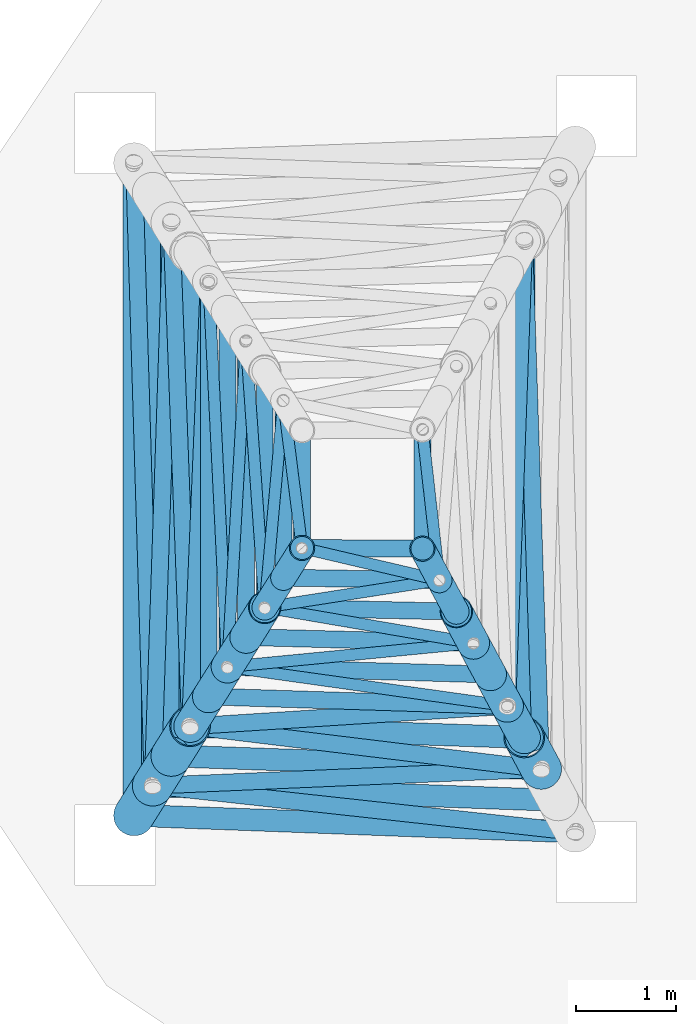
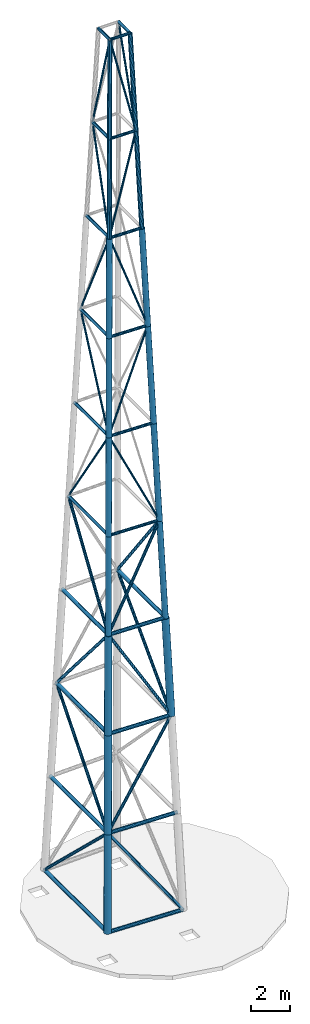
# One storey, part 1 of 10: 59 members.
"""IFC4 building model written with IfcOpenShell, lengths in metres."""

from ifc_helpers import new_model, si_unit, direction, frame, origin, origin_2d, place, context, subcontext, project, spatial, hollow_circle, extrude, material, material_profile, profile_set, type_object, element, save


model = new_model("IFC4")

# Units and contexts
model_context = context("Model", 3, precision=1e-05, world=origin(), true_north=direction((0.0, 1.0)))
body_context = subcontext(model_context, "Body", "Model", "MODEL_VIEW")
ifc_project = project(units=[si_unit("LENGTHUNIT", "METRE"), si_unit("AREAUNIT", "SQUARE_METRE"), si_unit("VOLUMEUNIT", "CUBIC_METRE"), si_unit("PLANEANGLEUNIT", "RADIAN"), si_unit("MASSUNIT", "GRAM", prefix="KILO")], contexts=[model_context])

# Site, building, storey
site_placement = place(None, origin())
site = spatial("IfcSite", under=ifc_project, at=site_placement, CompositionType="ELEMENT")
building_placement = place(site_placement, origin())
building = spatial("IfcBuilding", under=site, at=building_placement, Name="Alderwake Tower", CompositionType="ELEMENT")
storey_placement = place(building_placement, frame((0.0, 0.0, 319.25)))
storey = spatial("IfcBuildingStorey", under=building, at=storey_placement, Name="Upper roof", CompositionType="ELEMENT", Elevation=319.25)

# Members
ifc_material_1 = material(Name="Steel ASTM A500 Grade C", Category="steel")
ifc_material_profile_1 = material_profile(ifc_material_1, hollow_circle(Radius=0.05712890625, WallThickness=0.005615234375, at=origin_2d()), Name="HSS4.500X0.237")
ifc_profile_set_1 = profile_set([ifc_material_profile_1], Name="Steel ASTM A500 Grade C")
member_type_1 = type_object("IfcMemberType", Name="Mast diagonal HSS4.500X0.237", PredefinedType="USERDEFINED", material=ifc_profile_set_1)
member_1_placement = place(storey_placement, frame((24.14404296875, 58.83837890625, 25.75), z_axis=(-0.420915196892, 0.05896790604, 0.905181298461), x_axis=(-0.138739635582, -0.99032889159, 0.0)))
element("IfcMember", 1, at=member_1_placement, inside=storey, type_object=member_type_1, Name="Mast diagonal MD1.6", ObjectType="MAST", PredefinedType="USERDEFINED", context=body_context, shape_type="SweptSolid", body=[
    extrude(hollow_circle(Radius=0.05712890625, WallThickness=0.005615234375, at=origin_2d()), origin(), (0.0, 0.0, 1.0), 6.62841796875),
])
member_2_placement = place(storey_placement, frame((21.167724609375, 63.06689453125, 25.75), z_axis=(0.026145336848, -0.538635058874, 0.842133418594), x_axis=(0.99882401268, 0.048482901054, 0.0)))
element("IfcMember", 2, at=member_2_placement, inside=storey, type_object=member_type_1, Name="Mast diagonal MD3.6", ObjectType="MAST", PredefinedType="USERDEFINED", context=body_context, shape_type="SweptSolid", body=[
    extrude(hollow_circle(Radius=0.05712890625, WallThickness=0.005615234375, at=origin_2d()), origin(), (0.0, 0.0, 1.0), 7.124755859375),
])
member_3_placement = place(storey_placement, frame((21.35400390625, 59.229248046875, 31.75), z_axis=(0.377999256916, 0.036512575105, 0.925085614216), x_axis=(-0.096146798451, 0.995367164994, 0.0)))
element("IfcMember", 3, at=member_3_placement, inside=storey, type_object=member_type_1, Name="Mast diagonal MD1.7", ObjectType="MAST", PredefinedType="USERDEFINED", context=body_context, shape_type="SweptSolid", body=[
    extrude(hollow_circle(Radius=0.05712890625, WallThickness=0.005615234375, at=origin_2d()), origin(), (0.0, 0.0, 1.0), 6.48583984375),
])
member_4_placement = place(storey_placement, frame((21.35400390625, 59.229248046875, 31.75), z_axis=(0.027261891823, 0.475580482941, 0.879249676428), x_axis=(-0.998361051767, 0.057229453204, 0.0)))
element("IfcMember", 4, at=member_4_placement, inside=storey, type_object=member_type_1, Name="Mast diagonal MD3.7", ObjectType="MAST", PredefinedType="USERDEFINED", context=body_context, shape_type="SweptSolid", body=[
    extrude(hollow_circle(Radius=0.05712890625, WallThickness=0.005615234375, at=origin_2d()), origin(), (0.0, 0.0, 1.0), 6.823974609375),
])
member_5_placement = place(storey_placement, frame((23.8056640625, 59.466064453125, 37.75), z_axis=(-0.326972965091, 0.055928575973, 0.943377270496), x_axis=(-0.168600866316, -0.98568440582, 0.0)))
element("IfcMember", 5, at=member_5_placement, inside=storey, type_object=member_type_1, Name="Mast diagonal MD1.8", ObjectType="MAST", PredefinedType="USERDEFINED", context=body_context, shape_type="SweptSolid", body=[
    extrude(hollow_circle(Radius=0.05712890625, WallThickness=0.005615234375, at=origin_2d()), origin(), (0.0, 0.0, 1.0), 6.360107421875),
])
member_6_placement = place(storey_placement, frame((21.5400390625, 62.474609375, 37.75), z_axis=(0.028346331692, -0.404214225941, 0.914224996938), x_axis=(0.997550134082, 0.069955199905, 0.0)))
element("IfcMember", 6, at=member_6_placement, inside=storey, type_object=member_type_1, Name="Mast diagonal MD3.8", ObjectType="MAST", PredefinedType="USERDEFINED", context=body_context, shape_type="SweptSolid", body=[
    extrude(hollow_circle(Radius=0.05712890625, WallThickness=0.005615234375, at=origin_2d()), origin(), (0.0, 0.0, 1.0), 6.56298828125),
])
member_7_placement = place(storey_placement, frame((21.72607421875, 59.82177734375, 43.75), z_axis=(0.278439997646, 0.043452568337, 0.959470188185), x_axis=(-0.154190929831, 0.988041070582, 0.0)))
element("IfcMember", 7, at=member_7_placement, inside=storey, type_object=member_type_1, Name="Mast diagonal MD1.9", ObjectType="MAST", PredefinedType="USERDEFINED", context=body_context, shape_type="SweptSolid", body=[
    extrude(hollow_circle(Radius=0.05712890625, WallThickness=0.005615234375, at=origin_2d()), origin(), (0.0, 0.0, 1.0), 6.25341796875),
])
member_8_placement = place(storey_placement, frame((21.72607421875, 59.82177734375, 43.75), z_axis=(0.029312524481, 0.324630438446, 0.945386616334), x_axis=(-0.995948161008, 0.089929197617, 0.0)))
element("IfcMember", 8, at=member_8_placement, inside=storey, type_object=member_type_1, Name="Mast diagonal MD3.9", ObjectType="MAST", PredefinedType="USERDEFINED", context=body_context, shape_type="SweptSolid", body=[
    extrude(hollow_circle(Radius=0.05712890625, WallThickness=0.005615234375, at=origin_2d()), origin(), (0.0, 0.0, 1.0), 6.3466796875),
])
member_9_placement = place(storey_placement, frame((23.46728515625, 60.093505859375, 49.75), z_axis=(-0.222132179313, 0.052056658394, 0.973625903122), x_axis=(-0.228168175554, -0.973621735411, 0.0)))
element("IfcMember", 9, at=member_9_placement, inside=storey, type_object=member_type_1, Name="Mast diagonal MD1.10", ObjectType="MAST", PredefinedType="USERDEFINED", context=body_context, shape_type="SweptSolid", body=[
    extrude(hollow_circle(Radius=0.05712890625, WallThickness=0.005615234375, at=origin_2d()), origin(), (0.0, 0.0, 1.0), 6.16259765625),
])
member_10_placement = place(storey_placement, frame((21.912109375, 61.882080078125, 49.75), z_axis=(0.030143599593, -0.237514181849, 0.97091625634), x_axis=(0.99204256443, 0.12590294023, 0.0)))
element("IfcMember", 10, at=member_10_placement, inside=storey, type_object=member_type_1, Name="Mast diagonal MD3.10", ObjectType="MAST", PredefinedType="USERDEFINED", context=body_context, shape_type="SweptSolid", body=[
    extrude(hollow_circle(Radius=0.05712890625, WallThickness=0.005615234375, at=origin_2d()), origin(), (0.0, 0.0, 1.0), 6.1796875),
])
member_11_placement = place(storey_placement, frame((23.46728515625, 60.093505859375, 49.75), z_axis=(-0.027307435204, 0.242333756626, 0.969808565843), x_axis=(-0.993710850971, -0.111976536211, 0.0)))
element("IfcMember", 11, at=member_11_placement, inside=storey, type_object=member_type_1, Name="Mast diagonal MD4.10", ObjectType="MAST", PredefinedType="USERDEFINED", context=body_context, shape_type="SweptSolid", body=[
    extrude(hollow_circle(Radius=0.05712890625, WallThickness=0.005615234375, at=origin_2d()), origin(), (0.0, 0.0, 1.0), 6.186767578125),
])
ifc_material_2 = material(Name="Steel ASTM A500 Grade C", Category="steel")
ifc_material_profile_2 = material_profile(ifc_material_2, hollow_circle(Radius=0.084228515625, WallThickness=0.006591796875, at=origin_2d()), Name="HSS6.625X0.280")
ifc_profile_set_2 = profile_set([ifc_material_profile_2], Name="Steel ASTM A500 Grade C")
member_type_2 = type_object("IfcMemberType", Name="Mast diagonal HSS6.625X0.280", PredefinedType="USERDEFINED", material=ifc_profile_set_2)
member_12_placement = place(storey_placement, frame((24.820556640625, 57.58349609375, 1.75), z_axis=(-0.573353252436, 0.062756736077, 0.8169012425), x_axis=(-0.108805785518, -0.994063026693, 0.0)))
element("IfcMember", 12, at=member_12_placement, inside=storey, type_object=member_type_2, Name="Mast diagonal MD1.2", ObjectType="MAST", PredefinedType="USERDEFINED", context=body_context, shape_type="SweptSolid", body=[
    extrude(hollow_circle(Radius=0.084228515625, WallThickness=0.006591796875, at=origin_2d()), origin(), (0.0, 0.0, 1.0), 7.3447265625),
])
member_13_placement = place(storey_placement, frame((20.42333984375, 64.251953125, 1.75), z_axis=(0.021543638069, -0.718856353716, 0.694824736448), x_axis=(0.99955122213, 0.029955873172, 0.0)))
element("IfcMember", 13, at=member_13_placement, inside=storey, type_object=member_type_2, Name="Mast diagonal MD3.2", ObjectType="MAST", PredefinedType="USERDEFINED", context=body_context, shape_type="SweptSolid", body=[
    extrude(hollow_circle(Radius=0.084228515625, WallThickness=0.006591796875, at=origin_2d()), origin(), (0.0, 0.0, 1.0), 8.63525390625),
])
member_14_placement = place(storey_placement, frame((20.609375, 58.04443359375, 7.75), z_axis=(0.542185079697, 0.023308763512, 0.839935736171), x_axis=(-0.042950746608, 0.999077190895, 0.0)))
element("IfcMember", 14, at=member_14_placement, inside=storey, type_object=member_type_2, Name="Mast diagonal MD1.3", ObjectType="MAST", PredefinedType="USERDEFINED", context=body_context, shape_type="SweptSolid", body=[
    extrude(hollow_circle(Radius=0.084228515625, WallThickness=0.006591796875, at=origin_2d()), origin(), (0.0, 0.0, 1.0), 7.143310546875),
])
member_15_placement = place(storey_placement, frame((20.609375, 58.04443359375, 7.75), z_axis=(0.022632964721, 0.683117527043, 0.729957665316), x_axis=(-0.999451590879, 0.033113705476, 0.0)))
element("IfcMember", 15, at=member_15_placement, inside=storey, type_object=member_type_2, Name="Mast diagonal MD3.3", ObjectType="MAST", PredefinedType="USERDEFINED", context=body_context, shape_type="SweptSolid", body=[
    extrude(hollow_circle(Radius=0.084228515625, WallThickness=0.006591796875, at=origin_2d()), origin(), (0.0, 0.0, 1.0), 8.2197265625),
])
member_16_placement = place(storey_placement, frame((24.482421875, 58.2109375, 13.75), z_axis=(-0.503005705624, 0.061178739843, 0.862115086227), x_axis=(-0.120736586146, -0.992684580703, 0.0)))
element("IfcMember", 16, at=member_16_placement, inside=storey, type_object=member_type_2, Name="Mast diagonal MD1.4", ObjectType="MAST", PredefinedType="USERDEFINED", context=body_context, shape_type="SweptSolid", body=[
    extrude(hollow_circle(Radius=0.084228515625, WallThickness=0.006591796875, at=origin_2d()), origin(), (0.0, 0.0, 1.0), 6.959716796875),
])
member_17_placement = place(storey_placement, frame((20.79541015625, 63.659423828125, 13.75), z_axis=(0.023799512469, -0.641713460061, 0.766575122465), x_axis=(0.999312969388, 0.037061964499, 0.0)))
element("IfcMember", 17, at=member_17_placement, inside=storey, type_object=member_type_2, Name="Mast diagonal MD3.4", ObjectType="MAST", PredefinedType="USERDEFINED", context=body_context, shape_type="SweptSolid", body=[
    extrude(hollow_circle(Radius=0.084228515625, WallThickness=0.006591796875, at=origin_2d()), origin(), (0.0, 0.0, 1.0), 7.826904296875),
])
member_18_placement = place(storey_placement, frame((24.482421875, 58.2109375, 13.75), z_axis=(-0.021130637871, 0.659361524994, 0.751529025056), x_axis=(-0.999486886251, -0.032030676115, 0.0)))
element("IfcMember", 18, at=member_18_placement, inside=storey, type_object=member_type_2, Name="Mast diagonal MD4.4", ObjectType="MAST", PredefinedType="USERDEFINED", context=body_context, shape_type="SweptSolid", body=[
    extrude(hollow_circle(Radius=0.084228515625, WallThickness=0.006591796875, at=origin_2d()), origin(), (0.0, 0.0, 1.0), 7.983642578125),
])
member_19_placement = place(storey_placement, frame((20.981689453125, 58.63671875, 19.75), z_axis=(0.466055193949, 0.029719878808, 0.884256345749), x_axis=(-0.063639747224, 0.997972936794, 0.0)))
element("IfcMember", 19, at=member_19_placement, inside=storey, type_object=member_type_2, Name="Mast diagonal MD1.5", ObjectType="MAST", PredefinedType="USERDEFINED", context=body_context, shape_type="SweptSolid", body=[
    extrude(hollow_circle(Radius=0.084228515625, WallThickness=0.006591796875, at=origin_2d()), origin(), (0.0, 0.0, 1.0), 6.785400390625),
])
member_20_placement = place(storey_placement, frame((20.981689453125, 58.63671875, 19.75), z_axis=(0.024935567782, 0.593806841167, 0.804221146727), x_axis=(-0.999119469862, 0.041955749809, 0.0)))
element("IfcMember", 20, at=member_20_placement, inside=storey, type_object=member_type_2, Name="Mast diagonal MD3.5", ObjectType="MAST", PredefinedType="USERDEFINED", context=body_context, shape_type="SweptSolid", body=[
    extrude(hollow_circle(Radius=0.084228515625, WallThickness=0.006591796875, at=origin_2d()), origin(), (0.0, 0.0, 1.0), 7.460693359375),
])
member_21_placement = place(storey_placement, frame((24.313720703125, 63.47509765625, 19.75), z_axis=(-0.022371000245, -0.611323793756, 0.791064319468), x_axis=(0.999331098315, -0.036569877492, 0.0)))
element("IfcMember", 21, at=member_21_placement, inside=storey, type_object=member_type_2, Name="Mast diagonal MD4.5", ObjectType="MAST", PredefinedType="USERDEFINED", context=body_context, shape_type="SweptSolid", body=[
    extrude(hollow_circle(Radius=0.084228515625, WallThickness=0.006591796875, at=origin_2d()), origin(), (0.0, 0.0, 1.0), 7.584716796875),
])
ifc_material_3 = material(Name="Steel ASTM A500 Grade C", Category="steel")
ifc_material_profile_3 = material_profile(ifc_material_3, hollow_circle(Radius=0.126953125, WallThickness=0.01171875, at=origin_2d()), Name="HSS10.000X0.500")
ifc_profile_set_3 = profile_set([ifc_material_profile_3], Name="Steel ASTM A500 Grade C")
member_type_3 = type_object("IfcMemberType", Name="Mast leg HSS10.000X0.500", PredefinedType="USERDEFINED", material=ifc_profile_set_3)
member_22_placement = place(storey_placement, frame((21.72607421875, 59.82177734375, 43.75), z_axis=(0.030953322217, 0.049273464369, 0.998305573235), x_axis=(-0.846780302304, 0.531942778529, 0.0)))
element("IfcMember", 22, at=member_22_placement, inside=storey, type_object=member_type_3, Name="Mast leg ML1.9", ObjectType="MAST", PredefinedType="USERDEFINED", context=body_context, shape_type="SweptSolid", body=[
    extrude(hollow_circle(Radius=0.126953125, WallThickness=0.01171875, at=origin_2d()), origin(), (0.0, 0.0, 1.0), 6.01025390625),
])
member_23_placement = place(storey_placement, frame((23.63671875, 59.77978515625, 43.75), z_axis=(-0.028189203254, 0.052194706313, 0.998238990149), x_axis=(-0.879876768493, -0.475201927886, 0.0)))
element("IfcMember", 23, at=member_23_placement, inside=storey, type_object=member_type_3, Name="Mast leg ML2.9", ObjectType="MAST", PredefinedType="USERDEFINED", context=body_context, shape_type="SweptSolid", body=[
    extrude(hollow_circle(Radius=0.126953125, WallThickness=0.01171875, at=origin_2d()), origin(), (0.0, 0.0, 1.0), 6.010498046875),
])
member_24_placement = place(storey_placement, frame((21.912109375, 60.117919921875, 49.75), z_axis=(0.030993842318, 0.049313924736, 0.998302318221), x_axis=(-0.846663481702, 0.532128695666, 0.0)))
element("IfcMember", 24, at=member_24_placement, inside=storey, type_object=member_type_3, Name="Mast leg ML1.10", ObjectType="MAST", PredefinedType="USERDEFINED", context=body_context, shape_type="SweptSolid", body=[
    extrude(hollow_circle(Radius=0.126953125, WallThickness=0.01171875, at=origin_2d()), origin(), (0.0, 0.0, 1.0), 6.01025390625),
])
member_25_placement = place(storey_placement, frame((23.46728515625, 60.093505859375, 49.75), z_axis=(-0.028108030632, 0.052194825667, 0.998241272833), x_axis=(-0.880449097961, -0.474140681548, 0.0)))
element("IfcMember", 25, at=member_25_placement, inside=storey, type_object=member_type_3, Name="Mast leg ML2.10", ObjectType="MAST", PredefinedType="USERDEFINED", context=body_context, shape_type="SweptSolid", body=[
    extrude(hollow_circle(Radius=0.126953125, WallThickness=0.01171875, at=origin_2d()), origin(), (0.0, 0.0, 1.0), 6.010498046875),
])
ifc_material_4 = material(Name="Steel ASTM A500 Grade C", Category="steel")
ifc_material_profile_4 = material_profile(ifc_material_4, hollow_circle(Radius=0.161865234375, WallThickness=0.0087890625, at=origin_2d()), Name="HSS12.750X0.375")
ifc_profile_set_4 = profile_set([ifc_material_profile_4], Name="Steel ASTM A500 Grade C")
member_type_4 = type_object("IfcMemberType", Name="Mast leg HSS12.750X0.375", PredefinedType="USERDEFINED", material=ifc_profile_set_4)
member_26_placement = place(storey_placement, frame((20.981689453125, 58.63671875, 19.75), z_axis=(0.030953260237, 0.049313986782, 0.998303574264), x_axis=(-0.846977660333, 0.531628482021, 0.0)))
element("IfcMember", 26, at=member_26_placement, inside=storey, type_object=member_type_4, Name="Mast leg ML1.5", ObjectType="MAST", PredefinedType="USERDEFINED", context=body_context, shape_type="SweptSolid", body=[
    extrude(hollow_circle(Radius=0.161865234375, WallThickness=0.0087890625, at=origin_2d()), origin(), (0.0, 0.0, 1.0), 6.01025390625),
])
member_27_placement = place(storey_placement, frame((24.313232421875, 58.52490234375, 19.75), z_axis=(-0.028148676666, 0.052154258066, 0.998242247837), x_axis=(-0.880008531874, -0.474957875848, 0.0)))
element("IfcMember", 27, at=member_27_placement, inside=storey, type_object=member_type_4, Name="Mast leg ML2.5", ObjectType="MAST", PredefinedType="USERDEFINED", context=body_context, shape_type="SweptSolid", body=[
    extrude(hollow_circle(Radius=0.161865234375, WallThickness=0.0087890625, at=origin_2d()), origin(), (0.0, 0.0, 1.0), 6.010498046875),
])
member_28_placement = place(storey_placement, frame((21.167724609375, 58.93310546875, 25.75), z_axis=(0.030993904379, 0.049273402374, 0.998304317185), x_axis=(-0.846465825583, 0.532443054345, 0.0)))
element("IfcMember", 28, at=member_28_placement, inside=storey, type_object=member_type_4, Name="Mast leg ML1.6", ObjectType="MAST", PredefinedType="USERDEFINED", context=body_context, shape_type="SweptSolid", body=[
    extrude(hollow_circle(Radius=0.161865234375, WallThickness=0.0087890625, at=origin_2d()), origin(), (0.0, 0.0, 1.0), 6.01025390625),
])
member_29_placement = place(storey_placement, frame((24.14404296875, 58.83837890625, 25.75), z_axis=(-0.028148557312, 0.052235273742, 0.998238015154), x_axis=(-0.880317189277, -0.47438554601, 0.0)))
element("IfcMember", 29, at=member_29_placement, inside=storey, type_object=member_type_4, Name="Mast leg ML2.6", ObjectType="MAST", PredefinedType="USERDEFINED", context=body_context, shape_type="SweptSolid", body=[
    extrude(hollow_circle(Radius=0.161865234375, WallThickness=0.0087890625, at=origin_2d()), origin(), (0.0, 0.0, 1.0), 6.010498046875),
])
member_30_placement = place(storey_placement, frame((21.35400390625, 59.229248046875, 31.75), z_axis=(0.030953322217, 0.049273464369, 0.998305573235), x_axis=(-0.846780302304, 0.531942778529, 0.0)))
element("IfcMember", 30, at=member_30_placement, inside=storey, type_object=member_type_4, Name="Mast leg ML1.7", ObjectType="MAST", PredefinedType="USERDEFINED", context=body_context, shape_type="SweptSolid", body=[
    extrude(hollow_circle(Radius=0.161865234375, WallThickness=0.0087890625, at=origin_2d()), origin(), (0.0, 0.0, 1.0), 6.01025390625),
])
member_31_placement = place(storey_placement, frame((23.974853515625, 59.15234375, 31.75), z_axis=(-0.028148617012, 0.052194766033, 0.998240132312), x_axis=(-0.880163000135, -0.474671563497, 0.0)))
element("IfcMember", 31, at=member_31_placement, inside=storey, type_object=member_type_4, Name="Mast leg ML2.7", ObjectType="MAST", PredefinedType="USERDEFINED", context=body_context, shape_type="SweptSolid", body=[
    extrude(hollow_circle(Radius=0.161865234375, WallThickness=0.0087890625, at=origin_2d()), origin(), (0.0, 0.0, 1.0), 6.010498046875),
])
member_32_placement = place(storey_placement, frame((21.5400390625, 59.525390625, 37.75), z_axis=(0.030953260237, 0.049313986782, 0.998303574264), x_axis=(-0.846977660333, 0.531628482021, 0.0)))
element("IfcMember", 32, at=member_32_placement, inside=storey, type_object=member_type_4, Name="Mast leg ML1.8", ObjectType="MAST", PredefinedType="USERDEFINED", context=body_context, shape_type="SweptSolid", body=[
    extrude(hollow_circle(Radius=0.161865234375, WallThickness=0.0087890625, at=origin_2d()), origin(), (0.0, 0.0, 1.0), 6.01025390625),
])
member_33_placement = place(storey_placement, frame((23.8056640625, 59.466064453125, 37.75), z_axis=(-0.028108030632, 0.052194825667, 0.998241272833), x_axis=(-0.880449097961, -0.474140681548, 0.0)))
element("IfcMember", 33, at=member_33_placement, inside=storey, type_object=member_type_4, Name="Mast leg ML2.8", ObjectType="MAST", PredefinedType="USERDEFINED", context=body_context, shape_type="SweptSolid", body=[
    extrude(hollow_circle(Radius=0.161865234375, WallThickness=0.0087890625, at=origin_2d()), origin(), (0.0, 0.0, 1.0), 6.010498046875),
])
ifc_material_5 = material(Name="Steel ASTM A500 Grade C", Category="steel")
ifc_material_profile_5 = material_profile(ifc_material_5, hollow_circle(Radius=0.203125, WallThickness=0.01171875, at=origin_2d()), Name="HSS16.000X0.500")
ifc_profile_set_5 = profile_set([ifc_material_profile_5], Name="Steel ASTM A500 Grade C")
member_type_5 = type_object("IfcMemberType", Name="Mast leg HSS16.000X0.500", PredefinedType="USERDEFINED", material=ifc_profile_set_5)
for number, where, z_axis, x_axis, name in (
    (34, (20.42333984375, 57.748046875, 1.75), (0.030953260237, 0.049313986782, 0.998303574264), (-0.846977660333, 0.531628482021, 0.0), "Mast leg ML1.2"),
    (35, (20.609375, 58.04443359375, 7.75), (0.030953322217, 0.049273464369, 0.998305573235), (-0.846780302304, 0.531942778529, 0.0), "Mast leg ML1.3"),
    (36, (20.79541015625, 58.340576171875, 13.75), (0.030993904379, 0.049273402374, 0.998304317185), (-0.846465825583, 0.532443054345, 0.0), "Mast leg ML1.4"),
):
    element("IfcMember", number, at=place(storey_placement, frame(where, z_axis=z_axis, x_axis=x_axis)), inside=storey, type_object=member_type_5, Name=name, ObjectType="MAST", PredefinedType="USERDEFINED", context=body_context, shape_type="SweptSolid", body=[
        extrude(hollow_circle(Radius=0.203125, WallThickness=0.01171875, at=origin_2d()), origin(), (0.0, 0.0, 1.0), 6.01025390625),
    ])
member_34_placement = place(storey_placement, frame((24.482421875, 58.2109375, 13.75), z_axis=(-0.028148557312, 0.052235273742, 0.998238015154), x_axis=(-0.880317189277, -0.47438554601, 0.0)))
element("IfcMember", 37, at=member_34_placement, inside=storey, type_object=member_type_5, Name="Mast leg ML2.4", ObjectType="MAST", PredefinedType="USERDEFINED", context=body_context, shape_type="SweptSolid", body=[
    extrude(hollow_circle(Radius=0.203125, WallThickness=0.01171875, at=origin_2d()), origin(), (0.0, 0.0, 1.0), 6.010498046875),
])
ifc_material_6 = material(Name="Steel ASTM A500 Grade C", Category="steel")
ifc_material_profile_6 = material_profile(ifc_material_6, hollow_circle(Radius=0.084228515625, WallThickness=0.006591796875, at=origin_2d()), Name="HSS6.625X0.280")
ifc_profile_set_6 = profile_set([ifc_material_profile_6], Name="Steel ASTM A500 Grade C")
member_type_6 = type_object("IfcMemberType", Name="Mast ring HSS6.625X0.280", PredefinedType="USERDEFINED", material=ifc_profile_set_6)
member_35_placement = place(storey_placement, frame((21.167724609375, 58.93310546875, 25.75), z_axis=(0.9994939132, -0.031810650342, 0.0), x_axis=(0.031810650342, 0.9994939132, 0.0)))
element("IfcMember", 38, at=member_35_placement, inside=storey, type_object=member_type_6, Name="Mast ring MH1.5", ObjectType="MAST", PredefinedType="USERDEFINED", context=body_context, shape_type="SweptSolid", body=[
    extrude(hollow_circle(Radius=0.084228515625, WallThickness=0.006591796875, at=origin_2d()), origin(), (0.0, 0.0, 1.0), 2.977783203125),
])
member_36_placement = place(storey_placement, frame((21.167724609375, 58.93310546875, 25.75), z_axis=(0.0, 1.0, 0.0), x_axis=(-1.0, 0.0, 0.0)))
element("IfcMember", 39, at=member_36_placement, inside=storey, type_object=member_type_6, Name="Mast ring MH3.5", ObjectType="MAST", PredefinedType="USERDEFINED", context=body_context, shape_type="SweptSolid", body=[
    extrude(hollow_circle(Radius=0.084228515625, WallThickness=0.006591796875, at=origin_2d()), origin(), (0.0, 0.0, 1.0), 4.1337890625),
])
member_37_placement = place(storey_placement, frame((21.35400390625, 59.229248046875, 31.75), z_axis=(0.999569764076, -0.02933064515, 0.0), x_axis=(0.02933064515, 0.999569764076, 0.0)))
element("IfcMember", 40, at=member_37_placement, inside=storey, type_object=member_type_6, Name="Mast ring MH1.6", ObjectType="MAST", PredefinedType="USERDEFINED", context=body_context, shape_type="SweptSolid", body=[
    extrude(hollow_circle(Radius=0.084228515625, WallThickness=0.006591796875, at=origin_2d()), origin(), (0.0, 0.0, 1.0), 2.6220703125),
])
member_38_placement = place(storey_placement, frame((21.35400390625, 59.229248046875, 31.75), z_axis=(0.0, 1.0, 0.0), x_axis=(-1.0, 0.0, 0.0)))
element("IfcMember", 41, at=member_38_placement, inside=storey, type_object=member_type_6, Name="Mast ring MH3.6", ObjectType="MAST", PredefinedType="USERDEFINED", context=body_context, shape_type="SweptSolid", body=[
    extrude(hollow_circle(Radius=0.084228515625, WallThickness=0.006591796875, at=origin_2d()), origin(), (0.0, 0.0, 1.0), 3.54150390625),
])
member_39_placement = place(storey_placement, frame((21.5400390625, 59.525390625, 37.75), z_axis=(0.999657340062, -0.026176372159, 0.0), x_axis=(0.026176372159, 0.999657340062, 0.0)))
element("IfcMember", 42, at=member_39_placement, inside=storey, type_object=member_type_6, Name="Mast ring MH1.7", ObjectType="MAST", PredefinedType="USERDEFINED", context=body_context, shape_type="SweptSolid", body=[
    extrude(hollow_circle(Radius=0.084228515625, WallThickness=0.006591796875, at=origin_2d()), origin(), (0.0, 0.0, 1.0), 2.266357421875),
])
member_40_placement = place(storey_placement, frame((21.5400390625, 59.525390625, 37.75), z_axis=(0.0, 1.0, 0.0), x_axis=(-1.0, 0.0, 0.0)))
element("IfcMember", 43, at=member_40_placement, inside=storey, type_object=member_type_6, Name="Mast ring MH3.7", ObjectType="MAST", PredefinedType="USERDEFINED", context=body_context, shape_type="SweptSolid", body=[
    extrude(hollow_circle(Radius=0.084228515625, WallThickness=0.006591796875, at=origin_2d()), origin(), (0.0, 0.0, 1.0), 2.94921875),
])
member_41_placement = place(storey_placement, frame((21.72607421875, 59.82177734375, 43.75), z_axis=(0.999758570735, -0.02197271584, 0.0), x_axis=(0.02197271584, 0.999758570735, 0.0)))
element("IfcMember", 44, at=member_41_placement, inside=storey, type_object=member_type_6, Name="Mast ring MH1.8", ObjectType="MAST", PredefinedType="USERDEFINED", context=body_context, shape_type="SweptSolid", body=[
    extrude(hollow_circle(Radius=0.084228515625, WallThickness=0.006591796875, at=origin_2d()), origin(), (0.0, 0.0, 1.0), 1.9111328125),
])
member_42_placement = place(storey_placement, frame((21.72607421875, 59.82177734375, 43.75), z_axis=(0.0, 1.0, 0.0), x_axis=(-1.0, 0.0, 0.0)))
element("IfcMember", 45, at=member_42_placement, inside=storey, type_object=member_type_6, Name="Mast ring MH3.8", ObjectType="MAST", PredefinedType="USERDEFINED", context=body_context, shape_type="SweptSolid", body=[
    extrude(hollow_circle(Radius=0.084228515625, WallThickness=0.006591796875, at=origin_2d()), origin(), (0.0, 0.0, 1.0), 2.3564453125),
])
member_43_placement = place(storey_placement, frame((21.912109375, 60.117919921875, 49.75), z_axis=(0.999876799952, -0.01569665306, 0.0), x_axis=(0.01569665306, 0.999876799952, 0.0)))
element("IfcMember", 46, at=member_43_placement, inside=storey, type_object=member_type_6, Name="Mast ring MH1.9", ObjectType="MAST", PredefinedType="USERDEFINED", context=body_context, shape_type="SweptSolid", body=[
    extrude(hollow_circle(Radius=0.084228515625, WallThickness=0.006591796875, at=origin_2d()), origin(), (0.0, 0.0, 1.0), 1.555419921875),
])
member_44_placement = place(storey_placement, frame((21.912109375, 60.117919921875, 49.75), z_axis=(0.0, 1.0, 0.0), x_axis=(-1.0, 0.0, 0.0)))
element("IfcMember", 47, at=member_44_placement, inside=storey, type_object=member_type_6, Name="Mast ring MH3.9", ObjectType="MAST", PredefinedType="USERDEFINED", context=body_context, shape_type="SweptSolid", body=[
    extrude(hollow_circle(Radius=0.084228515625, WallThickness=0.006591796875, at=origin_2d()), origin(), (0.0, 0.0, 1.0), 1.76416015625),
])
member_45_placement = place(storey_placement, frame((22.098388671875, 60.414306640625, 55.75), z_axis=(0.999982593654, -0.005900202485, 0.0), x_axis=(0.005900202485, 0.999982593654, 0.0)))
element("IfcMember", 48, at=member_45_placement, inside=storey, type_object=member_type_6, Name="Mast ring MH1.10", ObjectType="MAST", PredefinedType="USERDEFINED", context=body_context, shape_type="SweptSolid", body=[
    extrude(hollow_circle(Radius=0.084228515625, WallThickness=0.006591796875, at=origin_2d()), origin(), (0.0, 0.0, 1.0), 1.199951171875),
])
member_46_placement = place(storey_placement, frame((22.098388671875, 60.414306640625, 55.75), z_axis=(0.0, 1.0, 0.0), x_axis=(-1.0, 0.0, 0.0)))
element("IfcMember", 49, at=member_46_placement, inside=storey, type_object=member_type_6, Name="Mast ring MH3.10", ObjectType="MAST", PredefinedType="USERDEFINED", context=body_context, shape_type="SweptSolid", body=[
    extrude(hollow_circle(Radius=0.084228515625, WallThickness=0.006591796875, at=origin_2d()), origin(), (0.0, 0.0, 1.0), 1.17138671875),
])
member_47_placement = place(storey_placement, frame((23.29833984375, 60.4072265625, 55.75), z_axis=(0.0, 1.0, 0.0), x_axis=(-1.0, 0.0, 0.0)))
element("IfcMember", 50, at=member_47_placement, inside=storey, type_object=member_type_6, Name="Mast ring MH4.10", ObjectType="MAST", PredefinedType="USERDEFINED", context=body_context, shape_type="SweptSolid", body=[
    extrude(hollow_circle(Radius=0.084228515625, WallThickness=0.006591796875, at=origin_2d()), origin(), (0.0, 0.0, 1.0), 1.185546875),
])
ifc_material_7 = material(Name="Steel ASTM A500 Grade C", Category="steel")
ifc_material_profile_7 = material_profile(ifc_material_7, hollow_circle(Radius=0.109619140625, WallThickness=0.007568359375, at=origin_2d()), Name="HSS8.625X0.322")
ifc_profile_set_7 = profile_set([ifc_material_profile_7], Name="Steel ASTM A500 Grade C")
member_type_7 = type_object("IfcMemberType", Name="Mast ring HSS8.625X0.322", PredefinedType="USERDEFINED", material=ifc_profile_set_7)
member_48_placement = place(storey_placement, frame((20.42333984375, 57.748046875, 1.75), z_axis=(0.999300547372, -0.037395401084, 0.0), x_axis=(0.037395401084, 0.999300547372, 0.0)))
element("IfcMember", 51, at=member_48_placement, inside=storey, type_object=member_type_7, Name="Mast ring MH1.1", ObjectType="MAST", PredefinedType="USERDEFINED", context=body_context, shape_type="SweptSolid", body=[
    extrude(hollow_circle(Radius=0.109619140625, WallThickness=0.007568359375, at=origin_2d()), origin(), (0.0, 0.0, 1.0), 4.400390625),
])
member_49_placement = place(storey_placement, frame((20.42333984375, 57.748046875, 1.75), z_axis=(0.0, 1.0, 0.0), x_axis=(-1.0, 0.0, 0.0)))
element("IfcMember", 52, at=member_49_placement, inside=storey, type_object=member_type_7, Name="Mast ring MH3.1", ObjectType="MAST", PredefinedType="USERDEFINED", context=body_context, shape_type="SweptSolid", body=[
    extrude(hollow_circle(Radius=0.109619140625, WallThickness=0.007568359375, at=origin_2d()), origin(), (0.0, 0.0, 1.0), 6.50390625),
])
member_50_placement = place(storey_placement, frame((20.609375, 58.04443359375, 7.75), z_axis=(0.999337383921, -0.036397707327, 0.0), x_axis=(0.036397707327, 0.999337383921, 0.0)))
element("IfcMember", 53, at=member_50_placement, inside=storey, type_object=member_type_7, Name="Mast ring MH1.2", ObjectType="MAST", PredefinedType="USERDEFINED", context=body_context, shape_type="SweptSolid", body=[
    extrude(hollow_circle(Radius=0.109619140625, WallThickness=0.007568359375, at=origin_2d()), origin(), (0.0, 0.0, 1.0), 4.044677734375),
])
member_51_placement = place(storey_placement, frame((20.609375, 58.04443359375, 7.75), z_axis=(0.0, 1.0, 0.0), x_axis=(-1.0, 0.0, 0.0)))
element("IfcMember", 54, at=member_51_placement, inside=storey, type_object=member_type_7, Name="Mast ring MH3.2", ObjectType="MAST", PredefinedType="USERDEFINED", context=body_context, shape_type="SweptSolid", body=[
    extrude(hollow_circle(Radius=0.109619140625, WallThickness=0.007568359375, at=origin_2d()), origin(), (0.0, 0.0, 1.0), 5.9111328125),
])
member_52_placement = place(storey_placement, frame((20.79541015625, 58.340576171875, 13.75), z_axis=(0.999382427915, -0.035139191446, 0.0), x_axis=(0.035139191446, 0.999382427915, 0.0)))
element("IfcMember", 55, at=member_52_placement, inside=storey, type_object=member_type_7, Name="Mast ring MH1.3", ObjectType="MAST", PredefinedType="USERDEFINED", context=body_context, shape_type="SweptSolid", body=[
    extrude(hollow_circle(Radius=0.109619140625, WallThickness=0.007568359375, at=origin_2d()), origin(), (0.0, 0.0, 1.0), 3.689208984375),
])
member_53_placement = place(storey_placement, frame((20.79541015625, 58.340576171875, 13.75), z_axis=(0.0, 1.0, 0.0), x_axis=(-1.0, 0.0, 0.0)))
element("IfcMember", 56, at=member_53_placement, inside=storey, type_object=member_type_7, Name="Mast ring MH3.3", ObjectType="MAST", PredefinedType="USERDEFINED", context=body_context, shape_type="SweptSolid", body=[
    extrude(hollow_circle(Radius=0.109619140625, WallThickness=0.007568359375, at=origin_2d()), origin(), (0.0, 0.0, 1.0), 5.31884765625),
])
member_54_placement = place(storey_placement, frame((20.981689453125, 58.63671875, 19.75), z_axis=(0.999437239638, -0.033544060952, 0.0), x_axis=(0.033544060952, 0.999437239638, 0.0)))
element("IfcMember", 57, at=member_54_placement, inside=storey, type_object=member_type_7, Name="Mast ring MH1.4", ObjectType="MAST", PredefinedType="USERDEFINED", context=body_context, shape_type="SweptSolid", body=[
    extrude(hollow_circle(Radius=0.109619140625, WallThickness=0.007568359375, at=origin_2d()), origin(), (0.0, 0.0, 1.0), 3.33349609375),
])
member_55_placement = place(storey_placement, frame((20.981689453125, 58.63671875, 19.75), z_axis=(0.0, 1.0, 0.0), x_axis=(-1.0, 0.0, 0.0)))
element("IfcMember", 58, at=member_55_placement, inside=storey, type_object=member_type_7, Name="Mast ring MH3.4", ObjectType="MAST", PredefinedType="USERDEFINED", context=body_context, shape_type="SweptSolid", body=[
    extrude(hollow_circle(Radius=0.109619140625, WallThickness=0.007568359375, at=origin_2d()), origin(), (0.0, 0.0, 1.0), 4.7265625),
])
member_56_placement = place(storey_placement, frame((24.313232421875, 58.52490234375, 19.75), z_axis=(9.8638784e-05, 0.999999995135, 0.0), x_axis=(-0.999999995135, 9.8638784e-05, 0.0)))
element("IfcMember", 59, at=member_56_placement, inside=storey, type_object=member_type_7, Name="Mast ring MH4.4", ObjectType="MAST", PredefinedType="USERDEFINED", context=body_context, shape_type="SweptSolid", body=[
    extrude(hollow_circle(Radius=0.109619140625, WallThickness=0.007568359375, at=origin_2d()), origin(), (0.0, 0.0, 1.0), 4.9501953125),
])

save(model, "model.ifc")
